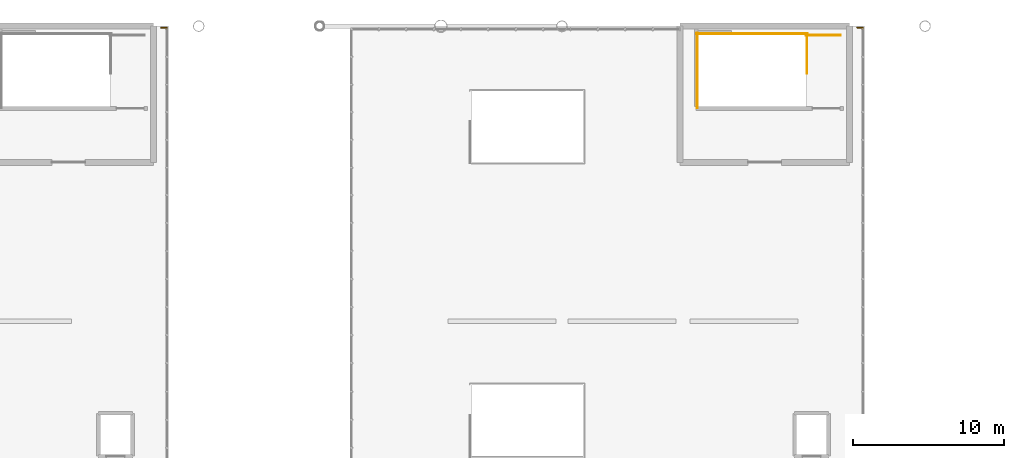
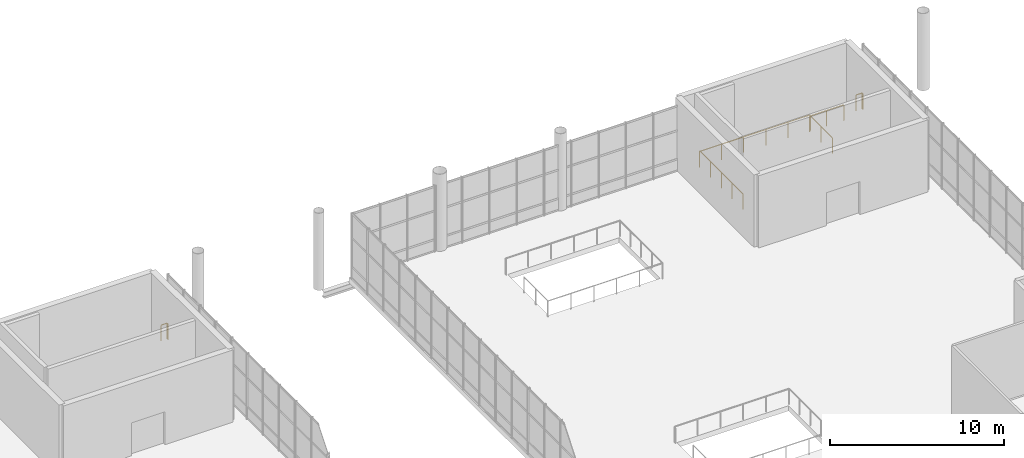
# One storey, part 176 of 176: 6 railings.
"""IFC4 building model written with IfcOpenShell, lengths in metres."""

from ifc_helpers import new_model, si_unit, direction, frame, origin, origin_2d, place, context, subcontext, project, spatial, rectangle, extrude, material, type_object, element, save


model = new_model("IFC4")

# Units and contexts
model_context = context("Model", 3, precision=1e-05, world=origin(), true_north=direction((0.0, 1.0)))
body_context = subcontext(model_context, "Body", "Model", "MODEL_VIEW")
ifc_project = project(units=[si_unit("LENGTHUNIT", "METRE"), si_unit("AREAUNIT", "SQUARE_METRE"), si_unit("VOLUMEUNIT", "CUBIC_METRE"), si_unit("PLANEANGLEUNIT", "RADIAN"), si_unit("MASSUNIT", "GRAM", prefix="KILO")], contexts=[model_context])

# Site, building, storey
site_placement = place(None, origin())
site = spatial("IfcSite", under=ifc_project, at=site_placement, CompositionType="ELEMENT")
building_placement = place(site_placement, origin())
building = spatial("IfcBuilding", under=site, at=building_placement, Name="Khorjan Park Terminus", CompositionType="ELEMENT")
storey_placement = place(building_placement, frame((0.0, 0.0, 6.0)))
storey = spatial("IfcBuildingStorey", under=building, at=storey_placement, Name="L01", CompositionType="ELEMENT", Elevation=6.0)

# Railings
ifc_material = material(Name="Steel S355", Category="steel")
railing_type = type_object("IfcRailingType", Name="GR-112", PredefinedType="GUARDRAIL", material=ifc_material)
railing_1_placement = place(storey_placement, frame((128.19, 153.45, 0.0)))
element("IfcRailing", 1, at=railing_1_placement, inside=storey, type_object=railing_type, Name="L01 ST-07 top well guard 1", PredefinedType="GUARDRAIL", context=body_context, shape_type="SweptSolid", body=[
    extrude(rectangle(XDim=0.048, YDim=0.048, at=origin_2d()), frame((0.0, 0.0, 1.096), z_axis=(0.0, -1.0, 0.0), x_axis=(1.0, 0.0, 0.0)), (0.0, 0.0, 1.0), 2.56),
    extrude(rectangle(XDim=0.042, YDim=0.042, at=origin_2d()), origin(), (0.0, 0.0, 1.0), 1.072),
    extrude(rectangle(XDim=0.042, YDim=0.042, at=origin_2d()), frame((0.0, -1.28, 0.0)), (0.0, 0.0, 1.0), 1.072),
    extrude(rectangle(XDim=0.042, YDim=0.042, at=origin_2d()), frame((0.0, -2.56, 0.0)), (0.0, 0.0, 1.0), 1.072),
])
railing_2_placement = place(storey_placement, frame((128.24, 153.5, 0.0)))
element("IfcRailing", 2, at=railing_2_placement, inside=storey, type_object=railing_type, Name="L01 ST-07 top well guard 2", PredefinedType="GUARDRAIL", context=body_context, shape_type="SweptSolid", body=[
    extrude(rectangle(XDim=0.048, YDim=0.048, at=origin_2d()), frame((0.0, 0.0, 1.096), z_axis=(-1.0, 0.0, 0.0), x_axis=(0.0, -1.0, 0.0)), (0.0, 0.0, 1.0), 7.34),
    extrude(rectangle(XDim=0.042, YDim=0.042, at=origin_2d()), origin(), (0.0, 0.0, 1.0), 1.072),
    extrude(rectangle(XDim=0.042, YDim=0.042, at=origin_2d()), frame((-1.468, 0.0, 0.0)), (0.0, 0.0, 1.0), 1.072),
    extrude(rectangle(XDim=0.042, YDim=0.042, at=origin_2d()), frame((-2.936, 0.0, 0.0)), (0.0, 0.0, 1.0), 1.072),
    extrude(rectangle(XDim=0.042, YDim=0.042, at=origin_2d()), frame((-4.404, 0.0, 0.0)), (0.0, 0.0, 1.0), 1.072),
    extrude(rectangle(XDim=0.042, YDim=0.042, at=origin_2d()), frame((-5.872, 0.0, 0.0)), (0.0, 0.0, 1.0), 1.072),
    extrude(rectangle(XDim=0.042, YDim=0.042, at=origin_2d()), frame((-7.34, 0.0, 0.0)), (0.0, 0.0, 1.0), 1.072),
])
railing_3_placement = place(storey_placement, frame((120.95, 153.55, 0.0)))
element("IfcRailing", 3, at=railing_3_placement, inside=storey, type_object=railing_type, Name="L01 ST-07 top well guard 3", PredefinedType="GUARDRAIL", context=body_context, shape_type="SweptSolid", body=[
    extrude(rectangle(XDim=0.048, YDim=0.048, at=origin_2d()), frame((0.0, 0.0, 1.096), z_axis=(0.0, -1.0, 0.0), x_axis=(1.0, 0.0, 0.0)), (0.0, 0.0, 1.0), 4.96),
    extrude(rectangle(XDim=0.042, YDim=0.042, at=origin_2d()), origin(), (0.0, 0.0, 1.0), 1.072),
    extrude(rectangle(XDim=0.042, YDim=0.042, at=origin_2d()), frame((0.0, -1.24, 0.0)), (0.0, 0.0, 1.0), 1.072),
    extrude(rectangle(XDim=0.042, YDim=0.042, at=origin_2d()), frame((0.0, -2.48, 0.0)), (0.0, 0.0, 1.0), 1.072),
    extrude(rectangle(XDim=0.042, YDim=0.042, at=origin_2d()), frame((0.0, -3.72, 0.0)), (0.0, 0.0, 1.0), 1.072),
    extrude(rectangle(XDim=0.042, YDim=0.042, at=origin_2d()), frame((0.0, -4.96, 0.0)), (0.0, 0.0, 1.0), 1.072),
])
railing_4_placement = place(storey_placement, frame((130.4, 153.4, 0.0)))
element("IfcRailing", 4, at=railing_4_placement, inside=storey, type_object=railing_type, Name="L01 ST-07 top well guard 4", PredefinedType="GUARDRAIL", context=body_context, shape_type="SweptSolid", body=[
    extrude(rectangle(XDim=0.048, YDim=0.048, at=origin_2d()), frame((0.0, 0.0, 1.096), z_axis=(-1.0, 0.0, 0.0), x_axis=(0.0, -1.0, 0.0)), (0.0, 0.0, 1.0), 2.26),
    extrude(rectangle(XDim=0.042, YDim=0.042, at=origin_2d()), origin(), (0.0, 0.0, 1.0), 1.072),
    extrude(rectangle(XDim=0.042, YDim=0.042, at=origin_2d()), frame((-1.13, 0.0, 0.0)), (0.0, 0.0, 1.0), 1.072),
    extrude(rectangle(XDim=0.042, YDim=0.042, at=origin_2d()), frame((-2.26, 0.0, 0.0)), (0.0, 0.0, 1.0), 1.072),
])
for number, where, name in (
    (5, (131.5, 153.9, 0.0), "Perimeter safety guard GR-112 (L01-48)"),
    (6, (85.5, 153.9, 0.0), "Perimeter safety guard GR-112 (L01-54)"),
):
    element("IfcRailing", number, at=place(storey_placement, frame(where)), inside=storey, type_object=railing_type, Name=name, PredefinedType="GUARDRAIL", context=body_context, shape_type="SweptSolid", body=[
        extrude(rectangle(XDim=0.048, YDim=0.048, at=origin_2d()), frame((0.0, 0.0, 1.096), z_axis=(1.0, 0.0, 0.0), x_axis=(0.0, 1.0, 0.0)), (0.0, 0.0, 1.0), 0.4),
        extrude(rectangle(XDim=0.048, YDim=0.048, at=origin_2d()), frame((0.4, 0.0, 1.096), z_axis=(0.0, -1.0, 0.0), x_axis=(1.0, 0.0, 0.0)), (0.0, 0.0, 1.0), 0.1),
        extrude(rectangle(XDim=0.042, YDim=0.042, at=origin_2d()), origin(), (0.0, 0.0, 1.0), 1.072),
        extrude(rectangle(XDim=0.042, YDim=0.042, at=origin_2d()), frame((0.4, 0.0, 0.0)), (0.0, 0.0, 1.0), 1.072),
        extrude(rectangle(XDim=0.042, YDim=0.042, at=origin_2d()), frame((0.4, -0.1, 0.0)), (0.0, 0.0, 1.0), 1.072),
    ])

save(model, "model.ifc")
